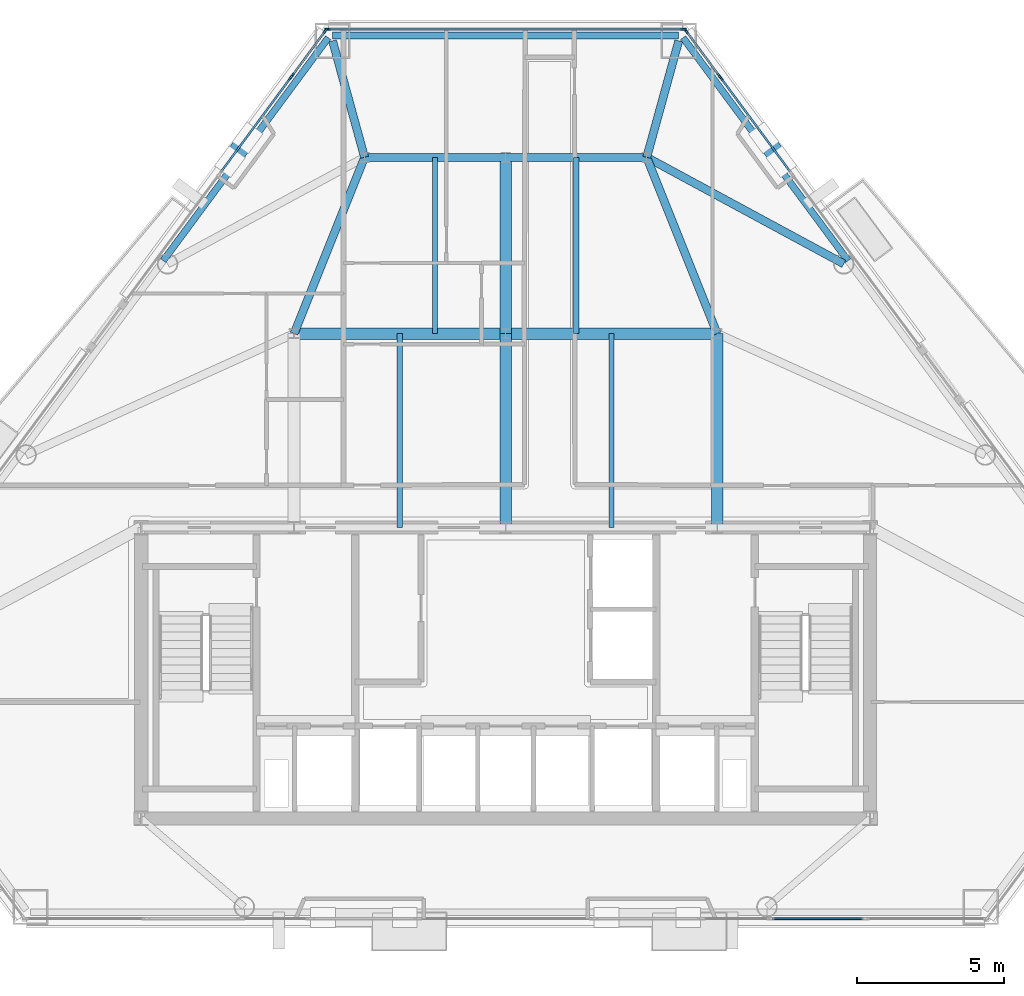
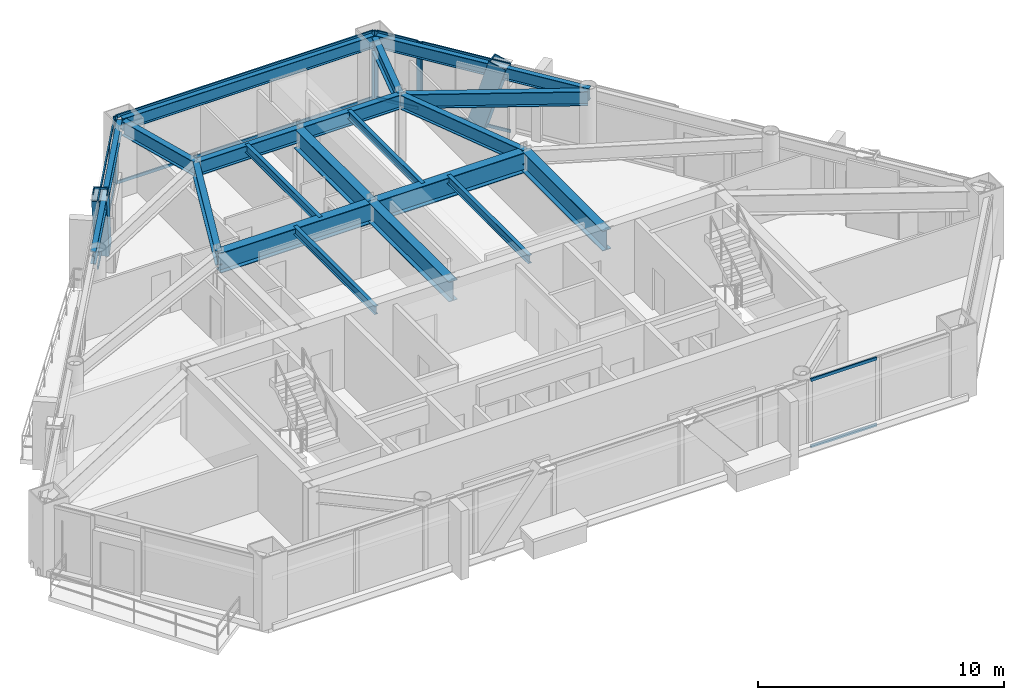
# One storey, part 5 of 13: 22 members, 19 beams, 6 elements without a shape of their own.
"""IFC4 building model written with IfcOpenShell, lengths in metres."""

from ifc_helpers import new_model, si_unit, direction, frame, origin, origin_2d, place, context, subcontext, project, spatial, rectangle, hollow_rectangle, i_section, extrude, material, layer, layer_set, material_profile, profile_set, type_object, element, aggregate, save


model = new_model("IFC4")

# Units and contexts
model_context = context("Model", 3, precision=1e-05, world=origin(), true_north=direction((0.0, 1.0)))
body_context = subcontext(model_context, "Body", "Model", "MODEL_VIEW")
ifc_project = project(units=[si_unit("LENGTHUNIT", "METRE"), si_unit("AREAUNIT", "SQUARE_METRE"), si_unit("VOLUMEUNIT", "CUBIC_METRE"), si_unit("PLANEANGLEUNIT", "RADIAN"), si_unit("MASSUNIT", "GRAM", prefix="KILO")], contexts=[model_context])

# Site, building, storey
site_placement = place(None, origin())
site = spatial("IfcSite", under=ifc_project, at=site_placement, CompositionType="ELEMENT")
building_placement = place(site_placement, origin())
building = spatial("IfcBuilding", under=site, at=building_placement, Name="Talgorran Terracotta Tower", CompositionType="ELEMENT")
storey_placement = place(building_placement, frame((0.0, 0.0, 106.800048828125)))
storey = spatial("IfcBuildingStorey", under=building, at=storey_placement, Name="L27", CompositionType="ELEMENT", Elevation=106.800048828125)

# Beams
ifc_material_1 = material(Name="Steel Grade 350 (350L0)", Category="steel")
ifc_material_profile_1 = material_profile(ifc_material_1, i_section(OverallWidth=0.39990234375, OverallDepth=1.0, WebThickness=0.01611328125, FlangeThickness=0.031005859375, at=origin_2d()), Name="1000WB296")
ifc_profile_set_1 = profile_set([ifc_material_profile_1], Name="Steel Grade 350 (350L0)")
beam_type_1 = type_object("IfcBeamType", Name="BM_1000WB296", PredefinedType="BEAM", material=ifc_profile_set_1)
for number, where, z_axis, x_axis, name in (
    (1, (0.0, -4.199951171875, 2.849853515625), (0.0, 1.0, 0.0), (-1.0, 0.0, 0.0), "L27 Floor Girder G02"),
    (2, (7.199951171875, -4.199951171875, 2.849853515625), (0.0, 1.0, 0.0), (-1.0, 0.0, 0.0), "L27 Floor Girder G03"),
):
    element("IfcBeam", number, at=place(storey_placement, frame(where, z_axis=z_axis, x_axis=x_axis)), inside=storey, type_object=beam_type_1, Name=name, PredefinedType="BEAM", context=body_context, shape_type="SweptSolid", body=[
        extrude(i_section(OverallWidth=0.39990234375, OverallDepth=1.0, WebThickness=0.01611328125, FlangeThickness=0.031005859375, at=origin_2d()), origin(), (0.0, 0.0, 1.0), 6.599853515625),
    ])
for number, where, z_axis, x_axis, name in (
    (3, (-7.199951171875, 2.39990234375, 2.849853515625), (1.0, 0.0, 0.0), (0.0, 1.0, 0.0), "L27 Floor Girder G04"),
    (4, (0.0, 2.39990234375, 2.849853515625), (1.0, 0.0, 0.0), (0.0, 1.0, 0.0), "L27 Floor Girder G05"),
):
    element("IfcBeam", number, at=place(storey_placement, frame(where, z_axis=z_axis, x_axis=x_axis)), inside=storey, type_object=beam_type_1, Name=name, PredefinedType="BEAM", context=body_context, shape_type="SweptSolid", body=[
        extrude(i_section(OverallWidth=0.39990234375, OverallDepth=1.0, WebThickness=0.01611328125, FlangeThickness=0.031005859375, at=origin_2d()), origin(), (0.0, 0.0, 1.0), 7.199951171875),
    ])
beam_1_placement = place(storey_placement, frame((0.0, 2.39990234375, 2.849853515625), z_axis=(0.0, 1.0, 0.0), x_axis=(-1.0, 0.0, 0.0)))
element("IfcBeam", 5, at=beam_1_placement, inside=storey, type_object=beam_type_1, Name="L27 Floor Girder G09", PredefinedType="BEAM", context=body_context, shape_type="SweptSolid", body=[
    extrude(i_section(OverallWidth=0.39990234375, OverallDepth=1.0, WebThickness=0.01611328125, FlangeThickness=0.031005859375, at=origin_2d()), origin(), (0.0, 0.0, 1.0), 6.0),
])
ifc_material_2 = material(Name="Steel S355 (300PLUS)", Category="steel")
ifc_material_profile_2 = material_profile(ifc_material_2, i_section(OverallWidth=0.27490234375, OverallDepth=0.7080078125, WebThickness=0.011962890625, FlangeThickness=0.02490234375, at=origin_2d()), Name="700WB173")
ifc_profile_set_2 = profile_set([ifc_material_profile_2], Name="Steel S355 (300PLUS)")
beam_type_2 = type_object("IfcBeamType", Name="BM_700WB173", PredefinedType="BEAM", material=ifc_profile_set_2)
for number, where, z_axis, x_axis, name in (
    (6, (-7.199951171875, 2.39990234375, 2.995849609375), (0.371377648723, 0.928481901832, 0.0), (-0.928481901832, 0.371377648723, 0.0), "L27 Floor Girder G08"),
    (7, (7.199951171875, 2.39990234375, 2.995849609375), (-0.371377648723, 0.928481901832, 0.0), (-0.928481901832, -0.371377648723, 0.0), "L27 Floor Girder G10"),
):
    element("IfcBeam", number, at=place(storey_placement, frame(where, z_axis=z_axis, x_axis=x_axis)), inside=storey, type_object=beam_type_2, Name=name, PredefinedType="BEAM", context=body_context, shape_type="SweptSolid", body=[
        extrude(i_section(OverallWidth=0.27490234375, OverallDepth=0.7080078125, WebThickness=0.011962890625, FlangeThickness=0.02490234375, at=origin_2d()), origin(), (0.0, 0.0, 1.0), 6.462158203125),
    ])
for number, where, z_axis, x_axis, name in (
    (8, (-4.800048828125, 8.39990234375, 2.995849609375), (1.0, 0.0, 0.0), (0.0, 1.0, 0.0), "L27 Floor Girder G11"),
    (9, (0.0, 8.39990234375, 2.995849609375), (1.0, 0.0, 0.0), (0.0, 1.0, 0.0), "L27 Floor Girder G12"),
):
    element("IfcBeam", number, at=place(storey_placement, frame(where, z_axis=z_axis, x_axis=x_axis)), inside=storey, type_object=beam_type_2, Name=name, PredefinedType="BEAM", context=body_context, shape_type="SweptSolid", body=[
        extrude(i_section(OverallWidth=0.27490234375, OverallDepth=0.7080078125, WebThickness=0.011962890625, FlangeThickness=0.02490234375, at=origin_2d()), origin(), (0.0, 0.0, 1.0), 4.800048828125),
    ])
beam_2_placement = place(storey_placement, frame((4.800048828125, 8.39990234375, 2.995849609375), z_axis=(0.879686234895, -0.475554548013, 0.0), x_axis=(0.475554548013, 0.879686234895, 0.0)))
element("IfcBeam", 10, at=beam_2_placement, inside=storey, type_object=beam_type_2, Name="L27 Floor Girder G14", PredefinedType="BEAM", context=body_context, shape_type="SweptSolid", body=[
    extrude(i_section(OverallWidth=0.27490234375, OverallDepth=0.7080078125, WebThickness=0.011962890625, FlangeThickness=0.02490234375, at=origin_2d()), origin(), (0.0, 0.0, 1.0), 7.62255859375),
])
for number, where, z_axis, x_axis, name in (
    (11, (-4.800048828125, 8.39990234375, 2.995849609375), (-0.265197906228, 0.964194000465, 0.0), (-0.964194000465, -0.265197906228, 0.0), "L27 Floor Girder G15"),
    (12, (4.800048828125, 8.39990234375, 2.995849609375), (0.265197906228, 0.964194000465, 0.0), (-0.964194000465, 0.265197906228, 0.0), "L27 Floor Girder G16"),
):
    element("IfcBeam", number, at=place(storey_placement, frame(where, z_axis=z_axis, x_axis=x_axis)), inside=storey, type_object=beam_type_2, Name=name, PredefinedType="BEAM", context=body_context, shape_type="SweptSolid", body=[
        extrude(i_section(OverallWidth=0.27490234375, OverallDepth=0.7080078125, WebThickness=0.011962890625, FlangeThickness=0.02490234375, at=origin_2d()), origin(), (0.0, 0.0, 1.0), 4.109619140625),
    ])
ifc_material_profile_3 = material_profile(ifc_material_2, i_section(OverallWidth=0.177734375, OverallDepth=0.406494140625, WebThickness=0.0078125, FlangeThickness=0.0126953125, at=origin_2d()), Name="410UB59.7")
ifc_profile_set_3 = profile_set([ifc_material_profile_3], Name="Steel S355 (300PLUS)")
beam_type_3 = type_object("IfcBeamType", Name="BM_JS_410UB60", PredefinedType="JOIST", material=ifc_profile_set_3)
for number, where, z_axis, x_axis, name in (
    (13, (-3.60009765625, -4.199951171875, 3.146728515625), (0.0, 1.0, 0.0), (-1.0, 0.0, 0.0), "L27 Secondary Joist J01"),
    (14, (3.60009765625, -4.199951171875, 3.146728515625), (0.0, 1.0, 0.0), (-1.0, 0.0, 0.0), "L27 Secondary Joist J02"),
):
    element("IfcBeam", number, at=place(storey_placement, frame(where, z_axis=z_axis, x_axis=x_axis)), inside=storey, type_object=beam_type_3, Name=name, PredefinedType="JOIST", context=body_context, shape_type="SweptSolid", body=[
        extrude(i_section(OverallWidth=0.177734375, OverallDepth=0.406494140625, WebThickness=0.0078125, FlangeThickness=0.0126953125, at=origin_2d()), origin(), (0.0, 0.0, 1.0), 6.599853515625),
    ])
for number, where, z_axis, x_axis, name in (
    (15, (-2.39990234375, 2.39990234375, 3.146728515625), (0.0, 1.0, 0.0), (-1.0, 0.0, 0.0), "L27 Secondary Joist J03"),
    (16, (2.39990234375, 2.39990234375, 3.146728515625), (0.0, 1.0, 0.0), (-1.0, 0.0, 0.0), "L27 Secondary Joist J04"),
):
    element("IfcBeam", number, at=place(storey_placement, frame(where, z_axis=z_axis, x_axis=x_axis)), inside=storey, type_object=beam_type_3, Name=name, PredefinedType="JOIST", context=body_context, shape_type="SweptSolid", body=[
        extrude(i_section(OverallWidth=0.177734375, OverallDepth=0.406494140625, WebThickness=0.0078125, FlangeThickness=0.0126953125, at=origin_2d()), origin(), (0.0, 0.0, 1.0), 6.0),
    ])
ifc_material_profile_4 = material_profile(ifc_material_2, i_section(OverallWidth=0.22900390625, OverallDepth=0.611572265625, WebThickness=0.011962890625, FlangeThickness=0.01953125, at=origin_2d()), Name="610UB125")
ifc_profile_set_4 = profile_set([ifc_material_profile_4], Name="Steel S355 (300PLUS)")
beam_type_4 = type_object("IfcBeamType", Name="BM_SP_610UB125", PredefinedType="SPANDREL", material=ifc_profile_set_4)
beam_3_placement = place(storey_placement, frame((11.650146484375, 4.882080078125, 3.044189453125), z_axis=(-0.594910188286, 0.80379217953, 0.0), x_axis=(-0.80379217953, -0.594910188286, 0.0)))
element("IfcBeam", 17, at=beam_3_placement, inside=storey, type_object=beam_type_4, Name="L27 Perimeter Spandrel Beam FC4-MC5", PredefinedType="SPANDREL", context=body_context, shape_type="SweptSolid", body=[
    extrude(i_section(OverallWidth=0.22900390625, OverallDepth=0.611572265625, WebThickness=0.011962890625, FlangeThickness=0.01953125, at=origin_2d()), origin(), (0.0, 0.0, 1.0), 9.439208984375),
])
beam_4_placement = place(storey_placement, frame((5.889892578125, 12.542236328125, 3.044189453125), z_axis=(-1.0, 0.0, 0.0), x_axis=(0.0, -1.0, 0.0)))
element("IfcBeam", 18, at=beam_4_placement, inside=storey, type_object=beam_type_4, Name="L27 Perimeter Spandrel Beam MC5-MC6", PredefinedType="SPANDREL", context=body_context, shape_type="SweptSolid", body=[
    extrude(i_section(OverallWidth=0.22900390625, OverallDepth=0.611572265625, WebThickness=0.011962890625, FlangeThickness=0.01953125, at=origin_2d()), origin(), (0.0, 0.0, 1.0), 11.77978515625),
])
beam_5_placement = place(storey_placement, frame((-6.03466796875, 12.46923828125, 3.044189453125), z_axis=(-0.594910188286, -0.80379217953, 0.0), x_axis=(0.80379217953, -0.594910188286, 0.0)))
element("IfcBeam", 19, at=beam_5_placement, inside=storey, type_object=beam_type_4, Name="L27 Perimeter Spandrel Beam MC6-FC5", PredefinedType="SPANDREL", context=body_context, shape_type="SweptSolid", body=[
    extrude(i_section(OverallWidth=0.22900390625, OverallDepth=0.611572265625, WebThickness=0.011962890625, FlangeThickness=0.01953125, at=origin_2d()), origin(), (0.0, 0.0, 1.0), 9.439208984375),
])

# Members
ifc_material_profile_5 = material_profile(ifc_material_1, hollow_rectangle(XDim=0.6201171875, YDim=0.780029296875, WallThickness=0.0419921875, at=origin_2d()), Name="WBOX780X620X42")
ifc_profile_set_5 = profile_set([ifc_material_profile_5], Name="Steel Grade 350 (350L0)")
member_type_1 = type_object("IfcMemberType", Name="MB_MEGA_780", PredefinedType="BRACE", material=ifc_profile_set_5)
for number, where, z_axis, x_axis, name in (
    (20, (8.779052734375, 9.06396484375, -0.025146484375), (0.170087742889, -0.229811108919, 0.958257279616), (0.803795867717, 0.594905205089, 0.0), "L27 Exterior Face Mega-Brace MB-2 (NEU)"),
    (21, (-8.779052734375, 9.06396484375, -0.025146484375), (-0.170087742889, -0.229811108919, 0.958257279616), (0.803795867717, -0.594905205089, 0.0), "L27 Exterior Face Mega-Brace MB-2 (NWU)"),
):
    element("IfcMember", number, at=place(storey_placement, frame(where, z_axis=z_axis, x_axis=x_axis)), inside=storey, type_object=member_type_1, Name=name, PredefinedType="BRACE", context=body_context, shape_type="SweptSolid", body=[
        extrude(hollow_rectangle(XDim=0.6201171875, YDim=0.780029296875, WallThickness=0.0419921875, at=origin_2d()), origin(), (0.0, 0.0, 1.0), 3.54833984375),
    ])

# Curtain wall, member
ifc_material_3 = material(Name="Unitised Low-E Double Glazing", Category="glass")
ifc_layer = layer(ifc_material_3, 0.199951171875, Name="CW_SYS2_RES_LOW")
ifc_layer_set = layer_set([ifc_layer], Name="Unitised Low-E Double Glazing")
curtain_wall_type = type_object("IfcCurtainWallType", Name="CW_SYS2_RES_LOW", PredefinedType="NOTDEFINED", material=ifc_layer_set)
curtain_wall_1_placement = place(storey_placement, origin())
curtain_wall_1 = element("IfcCurtainWall", 22, at=curtain_wall_1_placement, inside=storey, type_object=curtain_wall_type, Name="CW-L27-F41B", PredefinedType="NOTDEFINED")
ifc_material_4 = material(Name="Architectural Aluminium 6063-T6", Category="aluminium")
ifc_material_profile_6 = material_profile(ifc_material_4, rectangle(XDim=0.06494140625, YDim=0.18505859375, at=origin_2d()), Name="CWM65X185")
ifc_profile_set_6 = profile_set([ifc_material_profile_6], Name="Architectural Aluminium 6063-T6")
member_type_2 = type_object("IfcMemberType", Name="MUL_65X185", PredefinedType="MULLION", material=ifc_profile_set_6)
member_1_placement = place(storey_placement, frame((7.31494140625, 11.109375, 0.0), z_axis=(0.0, 0.0, 1.0), x_axis=(-0.803791980442, -0.594910457276, 0.0)))
member_1 = element("IfcMember", 23, at=member_1_placement, type_object=member_type_2, Name="CW-L27-41B mullion 2", PredefinedType="MULLION", context=body_context, shape_type="SweptSolid", body=[
    extrude(rectangle(XDim=0.06494140625, YDim=0.18505859375, at=origin_2d()), origin(), (0.0, 0.0, 1.0), 3.349853515625),
])

# Curtain wall, members
curtain_wall_2_placement = place(storey_placement, origin())
curtain_wall_2 = element("IfcCurtainWall", 24, at=curtain_wall_2_placement, inside=storey, type_object=curtain_wall_type, Name="CW-L27-F41C", PredefinedType="NOTDEFINED")
member_2_placement = place(storey_placement, frame((7.270263671875, 11.16943359375, 0.0), z_axis=(0.0, 0.0, 1.0), x_axis=(-0.803789572003, -0.594913711339, 0.0)))
member_2 = element("IfcMember", 25, at=member_2_placement, type_object=member_type_2, Name="CW-L27-41C mullion 1", PredefinedType="MULLION", context=body_context, shape_type="SweptSolid", body=[
    extrude(rectangle(XDim=0.06494140625, YDim=0.18505859375, at=origin_2d()), origin(), (0.0, 0.0, 1.0), 3.349853515625),
])
member_3_placement = place(storey_placement, frame((6.134765625, 12.703857421875, 0.0), z_axis=(0.0, 0.0, 1.0), x_axis=(-0.803789572003, -0.594913711339, 0.0)))
member_3 = element("IfcMember", 26, at=member_3_placement, type_object=member_type_2, Name="CW-L27-41C mullion 2", PredefinedType="MULLION", context=body_context, shape_type="SweptSolid", body=[
    extrude(rectangle(XDim=0.06494140625, YDim=0.18505859375, at=origin_2d()), origin(), (0.0, 0.0, 1.0), 3.349853515625),
])

curtain_wall_3_placement = place(storey_placement, origin())
curtain_wall_3 = element("IfcCurtainWall", 27, at=curtain_wall_3_placement, inside=storey, type_object=curtain_wall_type, Name="CW-L27-F4", PredefinedType="NOTDEFINED")
member_4_placement = place(storey_placement, frame((6.05908203125, 12.76220703125, 0.0), z_axis=(0.0, 0.0, 1.0), x_axis=(0.0, -1.0, 0.0)))
member_4 = element("IfcMember", 28, at=member_4_placement, type_object=member_type_2, Name="CW-L27-4 mullion 1", PredefinedType="MULLION", context=body_context, shape_type="SweptSolid", body=[
    extrude(rectangle(XDim=0.06494140625, YDim=0.18505859375, at=origin_2d()), origin(), (0.0, 0.0, 1.0), 3.349853515625),
])
member_5_placement = place(storey_placement, frame((-6.05908203125, 12.76220703125, 0.0), z_axis=(0.0, 0.0, 1.0), x_axis=(0.0, -1.0, 0.0)))
member_5 = element("IfcMember", 29, at=member_5_placement, type_object=member_type_2, Name="CW-L27-4 mullion 2", PredefinedType="MULLION", context=body_context, shape_type="SweptSolid", body=[
    extrude(rectangle(XDim=0.06494140625, YDim=0.18505859375, at=origin_2d()), origin(), (0.0, 0.0, 1.0), 3.349853515625),
])

curtain_wall_4_placement = place(storey_placement, origin())
curtain_wall_4 = element("IfcCurtainWall", 30, at=curtain_wall_4_placement, inside=storey, type_object=curtain_wall_type, Name="CW-L27-F60", PredefinedType="NOTDEFINED")
member_6_placement = place(storey_placement, frame((-6.134765625, 12.703857421875, 0.0), z_axis=(0.0, 0.0, 1.0), x_axis=(0.803789572003, -0.594913711339, 0.0)))
member_6 = element("IfcMember", 31, at=member_6_placement, type_object=member_type_2, Name="CW-L27-60 mullion 1", PredefinedType="MULLION", context=body_context, shape_type="SweptSolid", body=[
    extrude(rectangle(XDim=0.06494140625, YDim=0.18505859375, at=origin_2d()), origin(), (0.0, 0.0, 1.0), 3.349853515625),
])
member_7_placement = place(storey_placement, frame((-7.270263671875, 11.16943359375, 0.0), z_axis=(0.0, 0.0, 1.0), x_axis=(0.803789572003, -0.594913711339, 0.0)))
member_7 = element("IfcMember", 32, at=member_7_placement, type_object=member_type_2, Name="CW-L27-60 mullion 2", PredefinedType="MULLION", context=body_context, shape_type="SweptSolid", body=[
    extrude(rectangle(XDim=0.06494140625, YDim=0.18505859375, at=origin_2d()), origin(), (0.0, 0.0, 1.0), 3.349853515625),
])

# Curtain wall, member
curtain_wall_5_placement = place(storey_placement, origin())
curtain_wall_5 = element("IfcCurtainWall", 33, at=curtain_wall_5_placement, inside=storey, type_object=curtain_wall_type, Name="CW-L27-F60B", PredefinedType="NOTDEFINED")
member_8_placement = place(storey_placement, frame((-7.31494140625, 11.109375, 0.0), z_axis=(0.0, 0.0, 1.0), x_axis=(0.803791980442, -0.594910457276, 0.0)))
member_8 = element("IfcMember", 34, at=member_8_placement, type_object=member_type_2, Name="CW-L27-60B mullion 1", PredefinedType="MULLION", context=body_context, shape_type="SweptSolid", body=[
    extrude(rectangle(XDim=0.06494140625, YDim=0.18505859375, at=origin_2d()), origin(), (0.0, 0.0, 1.0), 3.349853515625),
])

# Curtain wall, members
curtain_wall_6_placement = place(storey_placement, origin())
curtain_wall_6 = element("IfcCurtainWall", 35, at=curtain_wall_6_placement, inside=storey, type_object=curtain_wall_type, Name="CW-L27-F1H", PredefinedType="NOTDEFINED")
ifc_material_profile_7 = material_profile(ifc_material_4, rectangle(XDim=0.06494140625, YDim=0.14990234375, at=origin_2d()), Name="CWT65X150")
ifc_profile_set_7 = profile_set([ifc_material_profile_7], Name="Architectural Aluminium 6063-T6")
member_type_3 = type_object("IfcMemberType", Name="TRN_65X150", PredefinedType="USERDEFINED", material=ifc_profile_set_7)
member_9_placement = place(storey_placement, frame((9.07861328125, -17.5078125, 0.032470703125), z_axis=(1.0, 0.0, 0.0), x_axis=(0.0, 1.0, 0.0)))
member_9 = element("IfcMember", 36, at=member_9_placement, type_object=member_type_3, Name="CW-L27-1H transom 1.1", ObjectType="TRANSOM", PredefinedType="USERDEFINED", context=body_context, shape_type="SweptSolid", body=[
    extrude(rectangle(XDim=0.06494140625, YDim=0.14990234375, at=origin_2d()), origin(), (0.0, 0.0, 1.0), 3.095703125),
])
member_10_placement = place(storey_placement, frame((9.07861328125, -17.5078125, 3.3173828125), z_axis=(1.0, 0.0, 0.0), x_axis=(0.0, 1.0, 0.0)))
member_10 = element("IfcMember", 37, at=member_10_placement, type_object=member_type_3, Name="CW-L27-1H transom 1.2", ObjectType="TRANSOM", PredefinedType="USERDEFINED", context=body_context, shape_type="SweptSolid", body=[
    extrude(rectangle(XDim=0.06494140625, YDim=0.14990234375, at=origin_2d()), origin(), (0.0, 0.0, 1.0), 3.095703125),
])
aggregate(curtain_wall_6, [member_9, member_10])

# Member
member_11_placement = place(storey_placement, frame((9.6845703125, 7.907470703125, 0.032470703125), z_axis=(-0.594886127449, 0.803809987104, 0.0), x_axis=(-0.803809987104, -0.594886127449, 0.0)))
member_11 = element("IfcMember", 38, at=member_11_placement, type_object=member_type_3, Name="CW-L27-41B transom 1.1", ObjectType="TRANSOM", PredefinedType="USERDEFINED", context=body_context, shape_type="SweptSolid", body=[
    extrude(rectangle(XDim=0.06494140625, YDim=0.14990234375, at=origin_2d()), origin(), (0.0, 0.0, 1.0), 3.950927734375),
])

member_12_placement = place(storey_placement, frame((9.6845703125, 7.907470703125, 3.3173828125), z_axis=(-0.594886127449, 0.803809987104, 0.0), x_axis=(-0.803809987104, -0.594886127449, 0.0)))
member_12 = element("IfcMember", 39, at=member_12_placement, type_object=member_type_3, Name="CW-L27-41B transom 1.2", ObjectType="TRANSOM", PredefinedType="USERDEFINED", context=body_context, shape_type="SweptSolid", body=[
    extrude(rectangle(XDim=0.06494140625, YDim=0.14990234375, at=origin_2d()), origin(), (0.0, 0.0, 1.0), 3.950927734375),
])

aggregate(curtain_wall_1, [member_1, member_11, member_12])

member_13_placement = place(storey_placement, frame((7.2509765625, 11.195556640625, 0.032470703125), z_axis=(-0.594882359142, 0.803812775951, 0.0), x_axis=(-0.803812775951, -0.594882359142, 0.0)))
member_13 = element("IfcMember", 40, at=member_13_placement, type_object=member_type_3, Name="CW-L27-41C transom 1.1", ObjectType="TRANSOM", PredefinedType="USERDEFINED", context=body_context, shape_type="SweptSolid", body=[
    extrude(rectangle(XDim=0.06494140625, YDim=0.14990234375, at=origin_2d()), origin(), (0.0, 0.0, 1.0), 1.843994140625),
])

member_14_placement = place(storey_placement, frame((7.2509765625, 11.195556640625, 3.3173828125), z_axis=(-0.594882359142, 0.803812775951, 0.0), x_axis=(-0.803812775951, -0.594882359142, 0.0)))
member_14 = element("IfcMember", 41, at=member_14_placement, type_object=member_type_3, Name="CW-L27-41C transom 1.2", ObjectType="TRANSOM", PredefinedType="USERDEFINED", context=body_context, shape_type="SweptSolid", body=[
    extrude(rectangle(XDim=0.06494140625, YDim=0.14990234375, at=origin_2d()), origin(), (0.0, 0.0, 1.0), 1.843994140625),
])

aggregate(curtain_wall_2, [member_2, member_3, member_13, member_14])

member_15_placement = place(storey_placement, frame((6.026611328125, 12.76220703125, 0.032470703125), z_axis=(-1.0, 0.0, 0.0), x_axis=(0.0, -1.0, 0.0)))
member_15 = element("IfcMember", 42, at=member_15_placement, type_object=member_type_3, Name="CW-L27-4 transom 1.1", ObjectType="TRANSOM", PredefinedType="USERDEFINED", context=body_context, shape_type="SweptSolid", body=[
    extrude(rectangle(XDim=0.06494140625, YDim=0.14990234375, at=origin_2d()), origin(), (0.0, 0.0, 1.0), 12.05322265625),
])

member_16_placement = place(storey_placement, frame((6.026611328125, 12.76220703125, 3.3173828125), z_axis=(-1.0, 0.0, 0.0), x_axis=(0.0, -1.0, 0.0)))
member_16 = element("IfcMember", 43, at=member_16_placement, type_object=member_type_3, Name="CW-L27-4 transom 1.2", ObjectType="TRANSOM", PredefinedType="USERDEFINED", context=body_context, shape_type="SweptSolid", body=[
    extrude(rectangle(XDim=0.06494140625, YDim=0.14990234375, at=origin_2d()), origin(), (0.0, 0.0, 1.0), 12.05322265625),
])

aggregate(curtain_wall_3, [member_4, member_5, member_15, member_16])

member_17_placement = place(storey_placement, frame((-6.154052734375, 12.677734375, 0.032470703125), z_axis=(-0.594882359142, -0.803812775951, 0.0), x_axis=(0.803812775951, -0.594882359142, 0.0)))
member_17 = element("IfcMember", 44, at=member_17_placement, type_object=member_type_3, Name="CW-L27-60 transom 1.1", ObjectType="TRANSOM", PredefinedType="USERDEFINED", context=body_context, shape_type="SweptSolid", body=[
    extrude(rectangle(XDim=0.06494140625, YDim=0.14990234375, at=origin_2d()), origin(), (0.0, 0.0, 1.0), 1.843994140625),
])

member_18_placement = place(storey_placement, frame((-6.154052734375, 12.677734375, 3.3173828125), z_axis=(-0.594882359142, -0.803812775951, 0.0), x_axis=(0.803812775951, -0.594882359142, 0.0)))
member_18 = element("IfcMember", 45, at=member_18_placement, type_object=member_type_3, Name="CW-L27-60 transom 1.2", ObjectType="TRANSOM", PredefinedType="USERDEFINED", context=body_context, shape_type="SweptSolid", body=[
    extrude(rectangle(XDim=0.06494140625, YDim=0.14990234375, at=origin_2d()), origin(), (0.0, 0.0, 1.0), 1.843994140625),
])

aggregate(curtain_wall_4, [member_6, member_7, member_17, member_18])

member_19_placement = place(storey_placement, frame((-7.334228515625, 11.083251953125, 0.032470703125), z_axis=(-0.594886127449, -0.803809987104, 0.0), x_axis=(0.803809987104, -0.594886127449, 0.0)))
member_19 = element("IfcMember", 46, at=member_19_placement, type_object=member_type_3, Name="CW-L27-60B transom 1.1", ObjectType="TRANSOM", PredefinedType="USERDEFINED", context=body_context, shape_type="SweptSolid", body=[
    extrude(rectangle(XDim=0.06494140625, YDim=0.14990234375, at=origin_2d()), origin(), (0.0, 0.0, 1.0), 3.950927734375),
])

member_20_placement = place(storey_placement, frame((-7.334228515625, 11.083251953125, 3.3173828125), z_axis=(-0.594886127449, -0.803809987104, 0.0), x_axis=(0.803809987104, -0.594886127449, 0.0)))
member_20 = element("IfcMember", 47, at=member_20_placement, type_object=member_type_3, Name="CW-L27-60B transom 1.2", ObjectType="TRANSOM", PredefinedType="USERDEFINED", context=body_context, shape_type="SweptSolid", body=[
    extrude(rectangle(XDim=0.06494140625, YDim=0.14990234375, at=origin_2d()), origin(), (0.0, 0.0, 1.0), 3.950927734375),
])

aggregate(curtain_wall_5, [member_8, member_19, member_20])

save(model, "model.ifc")
